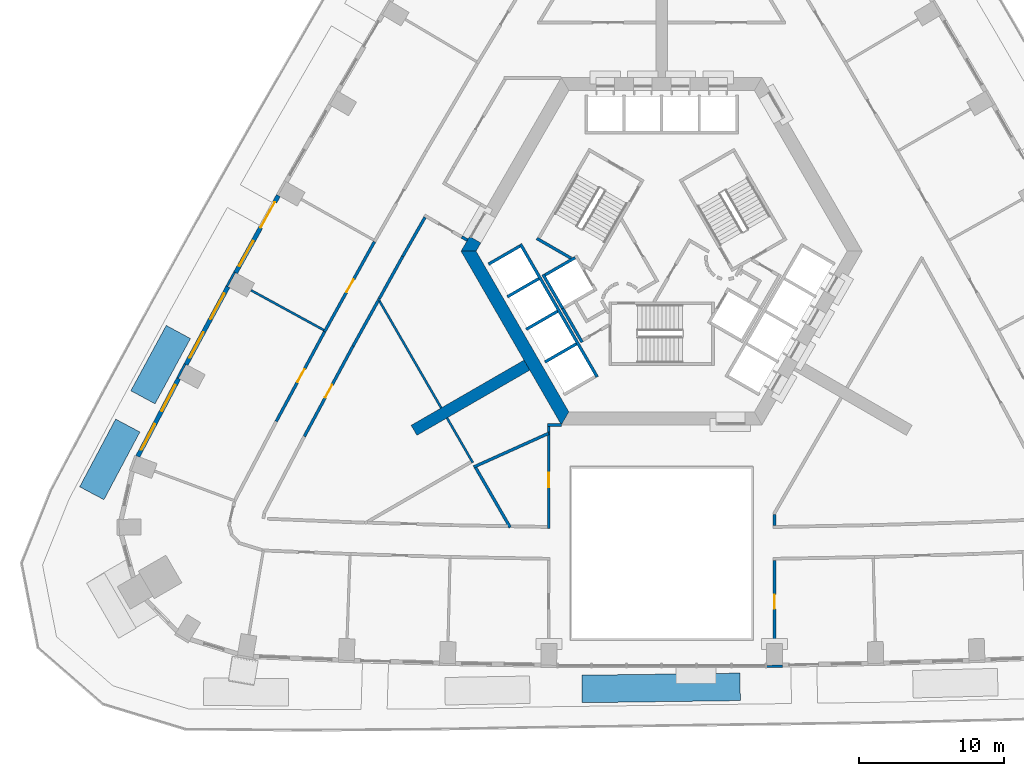
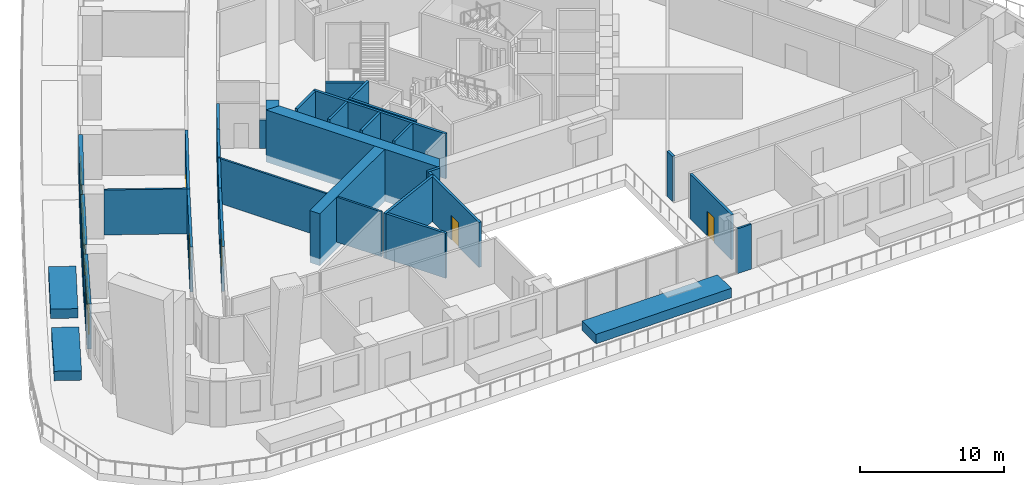
# One storey, part 5 of 16: 38 walls, 6 doors, 5 windows, 11 openings.
"""IFC4 building model written with IfcOpenShell, lengths in metres."""

from ifc_helpers import new_model, si_unit, direction, frame, frame_2d, origin, place, context, subcontext, project, spatial, polyline, rectangle, outline, extrude, material, layer, layer_set, type_object, element, fill, save


model = new_model("IFC4")

# Units and contexts
model_context = context("Model", 3, precision=1e-05, world=origin(), true_north=direction((0.0, 1.0)))
body_context = subcontext(model_context, "Body", "Model", "MODEL_VIEW")
ifc_project = project(units=[si_unit("LENGTHUNIT", "METRE"), si_unit("AREAUNIT", "SQUARE_METRE"), si_unit("VOLUMEUNIT", "CUBIC_METRE"), si_unit("PLANEANGLEUNIT", "RADIAN"), si_unit("MASSUNIT", "GRAM", prefix="KILO")], contexts=[model_context])

# Site, building, storey
site_placement = place(None, origin())
site = spatial("IfcSite", under=ifc_project, at=site_placement, CompositionType="ELEMENT")
building_placement = place(site_placement, origin())
building = spatial("IfcBuilding", under=site, at=building_placement, Name="Entoto Arch Interchange Tower", CompositionType="ELEMENT")
storey_placement = place(building_placement, frame((0.0, 0.0, 86.60009765625)))
storey = spatial("IfcBuildingStorey", under=building, at=storey_placement, Name="L18", CompositionType="ELEMENT", Elevation=86.60009765625)

# Walls
ifc_material_1 = material(Name="Concrete C60/75", Category="concrete")
ifc_layer_1 = layer(ifc_material_1, 0.800048828125)
ifc_layer_set_1 = layer_set([ifc_layer_1], Name="Concrete C60/75")
wall_type_1 = type_object("IfcWallType", Name="Buttress wall 800 C60/75", PredefinedType="SHEAR", material=ifc_layer_set_1)
wall_1_placement = place(storey_placement, frame((-9.31005859375, -5.375, -0.60009765625), z_axis=(0.0, 0.0, 1.0), x_axis=(-0.866017533419, -0.500013631625, 0.0)))
element("IfcWall", 1, at=wall_1_placement, inside=storey, type_object=wall_type_1, Name="Buttress wall SW L18", PredefinedType="SHEAR", context=body_context, shape_type="SweptSolid", body=[
    extrude(rectangle(XDim=8.999755859375, YDim=0.800048828125, at=frame_2d((4.5, 0.0))), origin(), (0.0, 0.0, 1.0), 4.39990234375),
])
ifc_layer_2 = layer(ifc_material_1, 0.89990234375)
ifc_layer_set_2 = layer_set([ifc_layer_2], Name="Concrete C60/75")
wall_type_2 = type_object("IfcWallType", Name="Core wall 900 C60/75", PredefinedType="SHEAR", material=ifc_layer_set_2)
wall_2_placement = place(storey_placement, frame((0.0, 0.0, -0.60009765625)))
element("IfcWall", 2, at=wall_2_placement, inside=storey, type_object=wall_type_2, Name="Core wall NW L18", PredefinedType="SHEAR", context=body_context, shape_type="SweptSolid", body=[
    extrude(outline(polyline([(-12.488037109375, 3.070068359375), (-13.26708984375, 3.52001953125), (-13.85595703125, 2.5), (-12.81689453125, 2.5), (-12.488037109375, 3.070068359375)])), origin(), (0.0, 0.0, 1.0), 4.39990234375),
])
wall_3_placement = place(storey_placement, frame((0.0, 0.0, -0.60009765625)))
element("IfcWall", 3, at=wall_3_placement, inside=storey, type_object=wall_type_2, Name="Core wall SW L18", PredefinedType="SHEAR", context=body_context, shape_type="SweptSolid", body=[
    extrude(outline(polyline([(-13.85595703125, 2.5), (-6.927978515625, -9.5), (-6.408935546875, -8.60009765625), (-12.81689453125, 2.5), (-13.85595703125, 2.5)])), origin(), (0.0, 0.0, 1.0), 4.39990234375),
])
ifc_material_2 = material(Name="Concrete C40/50", Category="concrete")
ifc_layer_3 = layer(ifc_material_2, 0.199951171875)
ifc_layer_set_3 = layer_set([ifc_layer_3], Name="Concrete C40/50")
wall_type_3 = type_object("IfcWallType", Name="LIFT SHAFT WALL 200", PredefinedType="STANDARD", material=ifc_layer_set_3)
wall_4_placement = place(storey_placement, frame((-8.19189453125, 0.887939453125, 0.0), z_axis=(0.0, 0.0, 1.0), x_axis=(0.49994636267, -0.866056369097, 0.0)))
element("IfcWall", 4, at=wall_4_placement, inside=storey, type_object=wall_type_3, Name="Shaft wall SW1 back", PredefinedType="STANDARD", context=body_context, shape_type="SweptSolid", body=[
    extrude(rectangle(XDim=2.800048828125, YDim=0.199951171875, at=frame_2d((1.39990234375, 0.0))), origin(), (0.0, 0.0, 1.0), 3.7998046875),
])
wall_5_placement = place(storey_placement, frame((-5.97705078125, 2.052001953125, 0.0), z_axis=(0.0, 0.0, 1.0), x_axis=(-0.865973769406, -0.500089422704, 0.0)))
element("IfcWall", 5, at=wall_5_placement, inside=storey, type_object=wall_type_3, Name="Shaft wall SW1 cross 1", PredefinedType="STANDARD", context=body_context, shape_type="SweptSolid", body=[
    extrude(rectangle(XDim=2.3994140625, YDim=0.199951171875, at=frame_2d((1.19970703125, 0.0))), origin(), (0.0, 0.0, 1.0), 3.7998046875),
])
wall_6_placement = place(storey_placement, frame((-9.7509765625, 2.989990234375, 0.0), z_axis=(0.0, 0.0, 1.0), x_axis=(0.50000090737, -0.866024879913, 0.0)))
element("IfcWall", 6, at=wall_6_placement, inside=storey, type_object=wall_type_3, Name="Shaft wall SW3 front", PredefinedType="STANDARD", context=body_context, shape_type="SweptSolid", body=[
    extrude(rectangle(XDim=10.60009765625, YDim=0.199951171875, at=frame_2d((5.300048828125, 0.0))), origin(), (0.0, 0.0, 1.0), 3.7998046875),
])
wall_7_placement = place(storey_placement, frame((-9.7880859375, 2.85302734375, 0.0), z_axis=(0.0, 0.0, 1.0), x_axis=(-0.865998541277, -0.500046524342, 0.0)))
element("IfcWall", 7, at=wall_7_placement, inside=storey, type_object=wall_type_3, Name="Shaft wall SW3 cross 1", PredefinedType="STANDARD", context=body_context, shape_type="SweptSolid", body=[
    extrude(rectangle(XDim=2.499755859375, YDim=0.199951171875, at=frame_2d((1.25, 0.0))), origin(), (0.0, 0.0, 1.0), 3.7998046875),
])
for number, where, z_axis, x_axis, name in (
    (8, (-8.488037109375, 0.60205078125, 0.0), (0.0, 0.0, 1.0), (-0.866022959057, -0.500004234368, 0.0), "Shaft wall SW3 cross 2"),
    (9, (-7.18798828125, -1.64990234375, 0.0), (0.0, 0.0, 1.0), (-0.866022959057, -0.500004234368, 0.0), "Shaft wall SW3 cross 3"),
    (10, (-5.887939453125, -3.902099609375, 0.0), (0.0, 0.0, 1.0), (-0.866022959057, -0.500004234368, 0.0), "Shaft wall SW3 cross 4"),
):
    element("IfcWall", number, at=place(storey_placement, frame(where, z_axis=z_axis, x_axis=x_axis)), inside=storey, type_object=wall_type_3, Name=name, PredefinedType="STANDARD", context=body_context, shape_type="SweptSolid", body=[
        extrude(rectangle(XDim=2.5, YDim=0.199951171875, at=frame_2d((1.25, 0.0))), origin(), (0.0, 0.0, 1.0), 3.7998046875),
    ])
ifc_material_3 = material(Name="Gypsum board partition on steel studs", Category="steel")
ifc_layer_4 = layer(ifc_material_3, 0.14990234375)
ifc_layer_set_4 = layer_set([ifc_layer_4], Name="Gypsum board partition on steel studs")
wall_type_4 = type_object("IfcWallType", Name="PARTITION 150", PredefinedType="PARTITIONING", material=ifc_layer_set_4)
wall_8_placement = place(storey_placement, frame((-13.04296875, -12.10791015625, 0.0), z_axis=(0.0, 0.0, 1.0), x_axis=(-0.499947764329, 0.866055559963, 0.0)))
element("IfcWall", 11, at=wall_8_placement, inside=storey, type_object=wall_type_4, Name="wall:L18:p108", PredefinedType="PARTITIONING", context=body_context, shape_type="SweptSolid", body=[
    extrude(rectangle(XDim=3.564453125, YDim=0.14990234375, at=frame_2d((1.7822265625, 0.0))), origin(), (0.0, 0.0, 1.0), 3.7998046875),
])
wall_9_placement = place(storey_placement, frame((-23.3359375, -2.949951171875, 0.0), z_axis=(0.0, 0.0, 1.0), x_axis=(-0.877455496162, 0.479658057637, 0.0)))
element("IfcWall", 12, at=wall_9_placement, inside=storey, type_object=wall_type_4, Name="wall:L18:p127", PredefinedType="PARTITIONING", context=body_context, shape_type="SweptSolid", body=[
    extrude(rectangle(XDim=5.729248046875, YDim=0.14990234375, at=frame_2d((2.86474609375, 0.0))), origin(), (0.0, 0.0, 1.0), 3.7998046875),
])
wall_10_placement = place(storey_placement, frame((-15.22509765625, -8.327880859375, 0.0), z_axis=(0.0, 0.0, 1.0), x_axis=(-0.500038648455, 0.866003088939, 0.0)))
element("IfcWall", 13, at=wall_10_placement, inside=storey, type_object=wall_type_4, Name="wall:L18:p108", PredefinedType="PARTITIONING", context=body_context, shape_type="SweptSolid", body=[
    extrude(rectangle(XDim=8.733154296875, YDim=0.14990234375, at=frame_2d((4.36669921875, 0.0))), origin(), (0.0, 0.0, 1.0), 3.7998046875),
])
ifc_layer_5 = layer(ifc_material_3, 0.199951171875)
ifc_layer_set_5 = layer_set([ifc_layer_5], Name="Gypsum board partition on steel studs")
wall_type_5 = type_object("IfcWallType", Name="PARTITION 200", PredefinedType="PARTITIONING", material=ifc_layer_set_5)
wall_11_placement = place(storey_placement, frame((-17.883056640625, 2.14306640625, 0.0), z_axis=(0.0, 0.0, 1.0), x_axis=(-0.484695523805, -0.874682942101, 0.0)))
element("IfcWall", 14, at=wall_11_placement, inside=storey, type_object=wall_type_5, Name="wall:L18:p019", PredefinedType="PARTITIONING", context=body_context, shape_type="SweptSolid", body=[
    extrude(rectangle(XDim=3.3486328125, YDim=0.199951171875, at=frame_2d((1.67431640625, 0.0))), origin(), (0.0, 0.0, 1.0), 3.7998046875),
])
wall_12_placement = place(storey_placement, frame((-13.4169921875, 3.260009765625, 0.0), z_axis=(0.0, 0.0, 1.0), x_axis=(-0.866032067792, 0.499988457423, 0.0)))
element("IfcWall", 15, at=wall_12_placement, inside=storey, type_object=wall_type_5, Name="wall:L18:p020", PredefinedType="PARTITIONING", context=body_context, shape_type="SweptSolid", body=[
    extrude(rectangle(XDim=0.4501953125, YDim=0.199951171875, at=frame_2d((0.22509765625, 0.0))), origin(), (0.0, 0.0, 1.0), 2.39990234375),
])
wall_13_placement = place(storey_placement, frame((-16.347900390625, 4.8369140625, 0.0), z_axis=(0.0, 0.0, 1.0), x_axis=(-0.495121026513, -0.868824015037, 0.0)))
element("IfcWall", 16, at=wall_13_placement, inside=storey, type_object=wall_type_5, Name="wall:L18:p021", PredefinedType="PARTITIONING", context=body_context, shape_type="SweptSolid", body=[
    extrude(rectangle(XDim=3.1005859375, YDim=0.199951171875, at=frame_2d((1.55029296875, 0.0))), origin(), (0.0, 0.0, 1.0), 3.7998046875),
])
wall_14_placement = place(storey_placement, frame((-19.5791015625, -0.9169921875, 0.0), z_axis=(0.0, 0.0, 1.0), x_axis=(-0.484700239797, -0.874680328772, 0.0)))
element("IfcWall", 17, at=wall_14_placement, inside=storey, type_object=wall_type_5, Name="wall:L18:p023", PredefinedType="PARTITIONING", context=body_context, shape_type="SweptSolid", body=[
    extrude(rectangle(XDim=3.585205078125, YDim=0.199951171875, at=frame_2d((1.79248046875, 0.0))), origin(), (0.0, 0.0, 1.0), 3.7998046875),
])

# Wall, opening, door
wall_15_placement = place(storey_placement, frame((-21.31689453125, -4.052978515625, 0.0), z_axis=(0.0, 0.0, 1.0), x_axis=(-0.474391588657, -0.880313932987, 0.0)))
wall_15 = element("IfcWall", 18, at=wall_15_placement, inside=storey, type_object=wall_type_5, Name="wall:L18:p024", PredefinedType="PARTITIONING", context=body_context, shape_type="SweptSolid", body=[
    extrude(rectangle(XDim=7.0849609375, YDim=0.199951171875, at=frame_2d((3.54248046875, 0.0))), origin(), (0.0, 0.0, 1.0), 3.7998046875),
])
opening_1_placement = place(wall_15_placement, frame((3.0419921875, 0.0, 0.0)))
opening_1 = element("IfcOpeningElement", 19, at=opening_1_placement, cuts=wall_15, Name="Opening L18-D30", PredefinedType="OPENING", context=body_context, shape_type="SweptSolid", body=[
    extrude(rectangle(XDim=1.0, YDim=2.10009765625, at=frame_2d((0.5, 1.050048828125))), frame((0.0, 0.10986328125, 0.0), z_axis=(0.0, -1.0, 0.0), x_axis=(1.0, 0.0, 0.0)), (0.0, 0.0, 1.0), 0.219970703125),
])
ifc_material_4 = material(Name="Timber door leaf in Steel S235 frame", Category="steel")
door_type_1 = type_object("IfcDoorType", Name="DOOR DS-10 1000x2100", OperationType="SINGLE_SWING_LEFT", PredefinedType="DOOR", material=ifc_material_4)
door_1_placement = place(opening_1_placement, origin())
door_1 = element("IfcDoor", 20, at=door_1_placement, inside=storey, type_object=door_type_1, Name="door:L18:30", OperationType="SINGLE_SWING_RIGHT", OverallHeight=2.10009765625, OverallWidth=1.0, PredefinedType="DOOR", context=body_context, shape_type="SweptSolid", body=[
    extrude(rectangle(XDim=1.0, YDim=2.10009765625, at=frame_2d((0.5, 1.050048828125))), frame((0.0, 0.02490234375, 0.0), z_axis=(0.0, -1.0, 0.0), x_axis=(1.0, 0.0, 0.0)), (0.0, 0.0, 1.0), 0.050048828125),
])
fill(opening_1, door_1)

wall_16_placement = place(storey_placement, frame((-23.283935546875, -3.06396484375, 0.0), z_axis=(0.0, 0.0, 1.0), x_axis=(0.48478560119, 0.874633020689, 0.0)))
wall_16 = element("IfcWall", 21, at=wall_16_placement, inside=storey, type_object=wall_type_5, Name="wall:L18:p056", PredefinedType="PARTITIONING", context=body_context, shape_type="SweptSolid", body=[
    extrude(rectangle(XDim=7.1103515625, YDim=0.199951171875, at=frame_2d((3.55517578125, 0.0))), origin(), (0.0, 0.0, 1.0), 3.7998046875),
])
opening_2_placement = place(wall_16_placement, frame((3.1298828125, 0.0, 0.0)))
opening_2 = element("IfcOpeningElement", 22, at=opening_2_placement, cuts=wall_16, Name="Opening L18-D17", PredefinedType="OPENING", context=body_context, shape_type="SweptSolid", body=[
    extrude(rectangle(XDim=1.0, YDim=2.10009765625, at=frame_2d((0.5, 1.050048828125))), frame((0.0, 0.10986328125, 0.0), z_axis=(0.0, -1.0, 0.0), x_axis=(1.0, 0.0, 0.0)), (0.0, 0.0, 1.0), 0.219970703125),
])
door_2_placement = place(opening_2_placement, origin())
door_2 = element("IfcDoor", 23, at=door_2_placement, inside=storey, type_object=door_type_1, Name="door:L18:17", OperationType="SINGLE_SWING_LEFT", OverallHeight=2.10009765625, OverallWidth=1.0, PredefinedType="DOOR", context=body_context, shape_type="SweptSolid", body=[
    extrude(rectangle(XDim=1.0, YDim=2.10009765625, at=frame_2d((0.5, 1.050048828125))), frame((0.0, 0.02490234375, 0.0), z_axis=(0.0, -1.0, 0.0), x_axis=(1.0, 0.0, 0.0)), (0.0, 0.0, 1.0), 0.050048828125),
])
fill(opening_2, door_2)

wall_17_placement = place(storey_placement, frame((-26.62109375, -9.258056640625, 0.0), z_axis=(0.0, 0.0, 1.0), x_axis=(0.474414295505, 0.880301696136, 0.0)))
wall_17 = element("IfcWall", 24, at=wall_17_placement, inside=storey, type_object=wall_type_5, Name="wall:L18:p058", PredefinedType="PARTITIONING", context=body_context, shape_type="SweptSolid", body=[
    extrude(rectangle(XDim=7.036376953125, YDim=0.199951171875, at=frame_2d((3.51806640625, 0.0))), origin(), (0.0, 0.0, 1.0), 3.7998046875),
])
opening_3_placement = place(wall_17_placement, frame((3.093017578125, 0.0, 0.0)))
opening_3 = element("IfcOpeningElement", 25, at=opening_3_placement, cuts=wall_17, Name="Opening L18-D18", PredefinedType="OPENING", context=body_context, shape_type="SweptSolid", body=[
    extrude(rectangle(XDim=1.0, YDim=2.10009765625, at=frame_2d((0.5, 1.050048828125))), frame((0.0, 0.10986328125, 0.0), z_axis=(0.0, -1.0, 0.0), x_axis=(1.0, 0.0, 0.0)), (0.0, 0.0, 1.0), 0.219970703125),
])
door_3_placement = place(opening_3_placement, origin())
door_3 = element("IfcDoor", 26, at=door_3_placement, inside=storey, type_object=door_type_1, Name="door:L18:18", OperationType="SINGLE_SWING_LEFT", OverallHeight=2.10009765625, OverallWidth=1.0, PredefinedType="DOOR", context=body_context, shape_type="SweptSolid", body=[
    extrude(rectangle(XDim=1.0, YDim=2.10009765625, at=frame_2d((0.5, 1.050048828125))), frame((0.0, 0.02490234375, 0.0), z_axis=(0.0, -1.0, 0.0), x_axis=(1.0, 0.0, 0.0)), (0.0, 0.0, 1.0), 0.050048828125),
])
fill(opening_3, door_3)

# Walls
wall_18_placement = place(storey_placement, frame((-5.491943359375, -3.7880859375, 0.0), z_axis=(0.0, 0.0, 1.0), x_axis=(-0.500008949224, 0.866020236886, 0.0)))
element("IfcWall", 27, at=wall_18_placement, inside=storey, type_object=wall_type_5, Name="wall:L18:p075", PredefinedType="PARTITIONING", context=body_context, shape_type="SweptSolid", body=[
    extrude(rectangle(XDim=2.68017578125, YDim=0.199951171875, at=frame_2d((1.340087890625, 0.0))), origin(), (0.0, 0.0, 1.0), 3.7998046875),
])
wall_19_placement = place(storey_placement, frame((7.800048828125, -15.68994140625, 0.0), z_axis=(0.0, 0.0, 1.0), x_axis=(0.0, -1.0, 0.0)))
element("IfcWall", 28, at=wall_19_placement, inside=storey, type_object=wall_type_5, Name="wall:L18:p093", PredefinedType="PARTITIONING", context=body_context, shape_type="SweptSolid", body=[
    extrude(rectangle(XDim=0.759033203125, YDim=0.199951171875, at=frame_2d((0.37939453125, 0.0))), origin(), (0.0, 0.0, 1.0), 3.7998046875),
])
wall_20_placement = place(storey_placement, frame((-7.800048828125, -9.97998046875, 0.0), z_axis=(0.0, 0.0, 1.0), x_axis=(0.0, 1.0, 0.0)))
element("IfcWall", 29, at=wall_20_placement, inside=storey, type_object=wall_type_5, Name="wall:L18:p094", PredefinedType="PARTITIONING", context=body_context, shape_type="SweptSolid", body=[
    extrude(rectangle(XDim=0.380859375, YDim=0.199951171875, at=frame_2d((0.1904296875, 0.0))), origin(), (0.0, 0.0, 1.0), 3.7998046875),
])
wall_21_placement = place(storey_placement, frame((-7.89990234375, -9.4990234375, 0.0), z_axis=(0.0, 0.0, 1.0), x_axis=(1.0, 0.0, 0.0)))
element("IfcWall", 30, at=wall_21_placement, inside=storey, type_object=wall_type_5, Name="wall:L18:p095", PredefinedType="PARTITIONING", context=body_context, shape_type="SweptSolid", body=[
    extrude(rectangle(XDim=0.970947265625, YDim=0.199951171875, at=frame_2d((0.4853515625, 0.0))), origin(), (0.0, 0.0, 1.0), 3.7998046875),
])

# Wall, opening, door
wall_22_placement = place(storey_placement, frame((-7.800048828125, -16.64892578125, 0.0), z_axis=(0.0, 0.0, 1.0), x_axis=(0.0, 1.0, 0.0)))
wall_22 = element("IfcWall", 31, at=wall_22_placement, inside=storey, type_object=wall_type_5, Name="wall:L18:p096", PredefinedType="PARTITIONING", context=body_context, shape_type="SweptSolid", body=[
    extrude(rectangle(XDim=6.6689453125, YDim=0.199951171875, at=frame_2d((3.33447265625, 0.0))), origin(), (0.0, 0.0, 1.0), 3.7998046875),
])
opening_4_placement = place(wall_22_placement, frame((2.8349609375, 0.0, 0.0)))
opening_4 = element("IfcOpeningElement", 32, at=opening_4_placement, cuts=wall_22, Name="Opening L18-D29", PredefinedType="OPENING", context=body_context, shape_type="SweptSolid", body=[
    extrude(rectangle(XDim=1.0, YDim=2.10009765625, at=frame_2d((0.5, 1.050048828125))), frame((0.0, 0.10986328125, 0.0), z_axis=(0.0, -1.0, 0.0), x_axis=(1.0, 0.0, 0.0)), (0.0, 0.0, 1.0), 0.219970703125),
])
door_4_placement = place(opening_4_placement, origin())
door_4 = element("IfcDoor", 33, at=door_4_placement, inside=storey, type_object=door_type_1, Name="door:L18:29", OperationType="SINGLE_SWING_LEFT", OverallHeight=2.10009765625, OverallWidth=1.0, PredefinedType="DOOR", context=body_context, shape_type="SweptSolid", body=[
    extrude(rectangle(XDim=1.0, YDim=2.10009765625, at=frame_2d((0.5, 1.050048828125))), frame((0.0, 0.02490234375, 0.0), z_axis=(0.0, -1.0, 0.0), x_axis=(1.0, 0.0, 0.0)), (0.0, 0.0, 1.0), 0.050048828125),
])
fill(opening_4, door_4)

wall_23_placement = place(storey_placement, frame((7.800048828125, -18.85009765625, 0.0), z_axis=(0.0, 0.0, 1.0), x_axis=(0.0, -1.0, 0.0)))
wall_23 = element("IfcWall", 34, at=wall_23_placement, inside=storey, type_object=wall_type_5, Name="wall:L18:p097", PredefinedType="PARTITIONING", context=body_context, shape_type="SweptSolid", body=[
    extrude(rectangle(XDim=5.73095703125, YDim=0.199951171875, at=frame_2d((2.865478515625, 0.0))), origin(), (0.0, 0.0, 1.0), 3.7998046875),
])
opening_5_placement = place(wall_23_placement, frame((2.365966796875, 0.0, 0.0)))
opening_5 = element("IfcOpeningElement", 35, at=opening_5_placement, cuts=wall_23, Name="Opening L18-D01", PredefinedType="OPENING", context=body_context, shape_type="SweptSolid", body=[
    extrude(rectangle(XDim=1.0, YDim=2.10009765625, at=frame_2d((0.5, 1.050048828125))), frame((0.0, 0.10986328125, 0.0), z_axis=(0.0, -1.0, 0.0), x_axis=(1.0, 0.0, 0.0)), (0.0, 0.0, 1.0), 0.219970703125),
])
door_5_placement = place(opening_5_placement, origin())
door_5 = element("IfcDoor", 36, at=door_5_placement, inside=storey, type_object=door_type_1, Name="door:L18:01", OperationType="SINGLE_SWING_LEFT", OverallHeight=2.10009765625, OverallWidth=1.0, PredefinedType="DOOR", context=body_context, shape_type="SweptSolid", body=[
    extrude(rectangle(XDim=1.0, YDim=2.10009765625, at=frame_2d((0.5, 1.050048828125))), frame((0.0, 0.02490234375, 0.0), z_axis=(0.0, -1.0, 0.0), x_axis=(1.0, 0.0, 0.0)), (0.0, 0.0, 1.0), 0.050048828125),
])
fill(opening_5, door_5)

# Walls
wall_24_placement = place(storey_placement, frame((-7.800048828125, -10.080078125, 0.0), z_axis=(0.0, 0.0, 1.0), x_axis=(-0.911938383636, -0.410327167577, 0.0)))
element("IfcWall", 37, at=wall_24_placement, inside=storey, type_object=wall_type_5, Name="wall:L18:p107", PredefinedType="PARTITIONING", context=body_context, shape_type="SweptSolid", body=[
    extrude(rectangle(XDim=5.683349609375, YDim=0.199951171875, at=frame_2d((2.841796875, 0.0))), origin(), (0.0, 0.0, 1.0), 3.7998046875),
])
wall_25_placement = place(storey_placement, frame((-10.4580078125, -16.5859375, 0.0), z_axis=(0.0, 0.0, 1.0), x_axis=(-0.500121439648, 0.865955279218, 0.0)))
element("IfcWall", 38, at=wall_25_placement, inside=storey, type_object=wall_type_5, Name="wall:L18:p109", PredefinedType="PARTITIONING", context=body_context, shape_type="SweptSolid", body=[
    extrude(rectangle(XDim=4.766845703125, YDim=0.199951171875, at=frame_2d((2.38330078125, 0.0))), origin(), (0.0, 0.0, 1.0), 3.7998046875),
])
ifc_material_5 = material(Name="Board-marked precast concrete C50/60", Category="concrete")
ifc_layer_6 = layer(ifc_material_5, 1.89990234375)
ifc_layer_set_6 = layer_set([ifc_layer_6], Name="Board-marked precast concrete C50/60")
wall_type_6 = type_object("IfcWallType", Name="PLANTER RC 1900 Olea europaea subsp. cuspidata", PredefinedType="STANDARD", material=ifc_layer_set_6)
wall_26_placement = place(storey_placement, frame((-5.49609375, -27.741943359375, 0.0), z_axis=(0.0, 0.0, 1.0), x_axis=(0.999909442252, 0.013457611041, 0.0)))
element("IfcWall", 39, at=wall_26_placement, inside=storey, type_object=wall_type_6, Name="Terrace planter S-04 L18", PredefinedType="STANDARD", context=body_context, shape_type="SweptSolid", body=[
    extrude(rectangle(XDim=10.921142578125, YDim=1.89990234375, at=frame_2d((5.46044921875, 0.0))), origin(), (0.0, 0.0, 1.0), 0.7998046875),
])
wall_27_placement = place(storey_placement, frame((-36.876953125, -9.5439453125, 0.0), z_axis=(0.0, 0.0, 1.0), x_axis=(-0.468973311577, -0.883212337453, 0.0)))
element("IfcWall", 40, at=wall_27_placement, inside=storey, type_object=wall_type_6, Name="Terrace planter NW-09 L18", PredefinedType="STANDARD", context=body_context, shape_type="SweptSolid", body=[
    extrude(rectangle(XDim=5.299072265625, YDim=1.89990234375, at=frame_2d((2.6494140625, 0.0))), origin(), (0.0, 0.0, 1.0), 0.7998046875),
])
ifc_layer_7 = layer(ifc_material_5, 1.89990234375)
ifc_layer_set_7 = layer_set([ifc_layer_7], Name="Board-marked precast concrete C50/60")
wall_type_7 = type_object("IfcWallType", Name="PLANTER RC 1900 Vachellia abyssinica", PredefinedType="STANDARD", material=ifc_layer_set_7)
wall_28_placement = place(storey_placement, frame((-33.383056640625, -3.08203125, 0.0), z_axis=(0.0, 0.0, 1.0), x_axis=(-0.476808502213, -0.879007196909, 0.0)))
element("IfcWall", 41, at=wall_28_placement, inside=storey, type_object=wall_type_7, Name="Terrace planter NW-08 L18", PredefinedType="STANDARD", context=body_context, shape_type="SweptSolid", body=[
    extrude(rectangle(XDim=5.134033203125, YDim=1.89990234375, at=frame_2d((2.56689453125, 0.0))), origin(), (0.0, 0.0, 1.0), 0.7998046875),
])
ifc_layer_8 = layer(ifc_material_2, 0.199951171875)
ifc_layer_set_8 = layer_set([ifc_layer_8], Name="Concrete C40/50")
wall_type_8 = type_object("IfcWallType", Name="STAIR ENCLOSURE WALL 200", PredefinedType="STANDARD", material=ifc_layer_set_8)
wall_29_placement = place(storey_placement, frame((-6.25, 2.010009765625, 0.0), z_axis=(0.0, 0.0, 1.0), x_axis=(-0.86611865017, 0.499838457731, 0.0)))
element("IfcWall", 42, at=wall_29_placement, inside=storey, type_object=wall_type_8, Name="Stair wall ST-NW far", PredefinedType="STANDARD", context=body_context, shape_type="SweptSolid", body=[
    extrude(rectangle(XDim=2.73291015625, YDim=0.199951171875, at=frame_2d((1.366455078125, 0.0))), origin(), (0.0, 0.0, 1.0), 3.7998046875),
])

# Wall, openings, door, window
ifc_material_6 = material(Name="Welded tuff (ignimbrite) cladding, warm buff", Category="masonry")
ifc_layer_9 = layer(ifc_material_6, 0.300048828125)
ifc_layer_set_9 = layer_set([ifc_layer_9], Name="Welded tuff (ignimbrite) cladding, warm buff")
wall_type_9 = type_object("IfcWallType", Name="STONE INFILL WALL 300", PredefinedType="STANDARD", material=ifc_layer_set_9)
wall_30_placement = place(storey_placement, frame((-26.47412109375, 6.341064453125, 0.0), z_axis=(0.0, 0.0, 1.0), x_axis=(-0.484823579315, -0.874611969356, 0.0)))
wall_30 = element("IfcWall", 43, at=wall_30_placement, inside=storey, type_object=wall_type_9, Name="Facade wall NW-06 L18", PredefinedType="STANDARD", context=body_context, shape_type="SweptSolid", body=[
    extrude(rectangle(XDim=6.0986328125, YDim=0.300048828125, at=frame_2d((3.04931640625, 0.0))), origin(), (0.0, 0.0, 1.0), 3.7998046875),
])
opening_6_placement = place(wall_30_placement, frame((0.52490234375, 0.0, 0.0)))
opening_6 = element("IfcOpeningElement", 44, at=opening_6_placement, cuts=wall_30, Name="Opening DT-NW-06-L18", PredefinedType="OPENING", context=body_context, shape_type="SweptSolid", body=[
    extrude(rectangle(XDim=2.0, YDim=2.39990234375, at=frame_2d((1.0, 1.199951171875))), frame((0.0, 0.16015625, 0.0), z_axis=(0.0, -1.0, 0.0), x_axis=(1.0, 0.0, 0.0)), (0.0, 0.0, 1.0), 0.320068359375),
])
opening_7_placement = place(wall_30_placement, frame((3.573974609375, 0.0, 0.89990234375)))
opening_7 = element("IfcOpeningElement", 45, at=opening_7_placement, cuts=wall_30, Name="Opening WO-C", PredefinedType="OPENING", context=body_context, shape_type="SweptSolid", body=[
    extrude(rectangle(XDim=2.0, YDim=2.60009765625, at=frame_2d((1.0, 1.300048828125))), frame((0.0, 0.16015625, 0.0), z_axis=(0.0, -1.0, 0.0), x_axis=(1.0, 0.0, 0.0)), (0.0, 0.0, 1.0), 0.320068359375),
])
ifc_material_7 = material(Name="Aluminium and clear glass, anodised", Category="aluminium")
door_type_2 = type_object("IfcDoorType", Name="TERRACE DOOR DT 2000x2400", OperationType="SLIDING_TO_LEFT", PredefinedType="DOOR", material=ifc_material_7)
door_6_placement = place(opening_6_placement, origin())
door_6 = element("IfcDoor", 46, at=door_6_placement, inside=storey, type_object=door_type_2, Name="Terrace door NW-06 L18", OperationType="SLIDING_TO_LEFT", OverallHeight=2.39990234375, OverallWidth=2.0, PredefinedType="DOOR", context=body_context, shape_type="SweptSolid", body=[
    extrude(rectangle(XDim=2.0, YDim=2.39990234375, at=frame_2d((1.0, 1.199951171875))), frame((0.0, 0.02490234375, 0.0), z_axis=(0.0, -1.0, 0.0), x_axis=(1.0, 0.0, 0.0)), (0.0, 0.0, 1.0), 0.050048828125),
])
fill(opening_6, door_6)
ifc_material_8 = material(Name="Clear glass, low-e double glazed", Category="glass")
window_type = type_object("IfcWindowType", Name="WINDOW WO-C 2000x2600", PartitioningType="DOUBLE_PANEL_VERTICAL", PredefinedType="WINDOW", material=ifc_material_8)
window_1_placement = place(opening_7_placement, origin())
window_1 = element("IfcWindow", 47, at=window_1_placement, inside=storey, type_object=window_type, Name="Window WO-C NW-06 L18", OverallHeight=2.60009765625, OverallWidth=2.0, PartitioningType="SINGLE_PANEL", PredefinedType="WINDOW", context=body_context, shape_type="SweptSolid", body=[
    extrude(rectangle(XDim=2.0, YDim=2.60009765625, at=frame_2d((1.0, 1.300048828125))), frame((0.0, 0.030029296875, 0.0), z_axis=(0.0, -1.0, 0.0), x_axis=(1.0, 0.0, 0.0)), (0.0, 0.0, 1.0), 0.06005859375),
])
fill(opening_7, window_1)

# Wall, openings, windows
wall_31_placement = place(storey_placement, frame((-29.9580078125, 0.0439453125, 0.0), z_axis=(0.0, 0.0, 1.0), x_axis=(-0.474369552216, -0.880325807829, 0.0)))
wall_31 = element("IfcWall", 48, at=wall_31_placement, inside=storey, type_object=wall_type_9, Name="Facade wall NW-07 L18", PredefinedType="STANDARD", context=body_context, shape_type="SweptSolid", body=[
    extrude(rectangle(XDim=6.098876953125, YDim=0.300048828125, at=frame_2d((3.04931640625, 0.0))), origin(), (0.0, 0.0, 1.0), 3.7998046875),
])
opening_8_placement = place(wall_31_placement, frame((0.52490234375, 0.0, 0.89990234375)))
opening_8 = element("IfcOpeningElement", 49, at=opening_8_placement, cuts=wall_31, Name="Opening WO-C", PredefinedType="OPENING", context=body_context, shape_type="SweptSolid", body=[
    extrude(rectangle(XDim=2.0, YDim=2.60009765625, at=frame_2d((1.0, 1.300048828125))), frame((0.0, 0.16015625, 0.0), z_axis=(0.0, -1.0, 0.0), x_axis=(1.0, 0.0, 0.0)), (0.0, 0.0, 1.0), 0.320068359375),
])
opening_9_placement = place(wall_31_placement, frame((3.573974609375, 0.0, 0.89990234375)))
opening_9 = element("IfcOpeningElement", 50, at=opening_9_placement, cuts=wall_31, Name="Opening WO-C", PredefinedType="OPENING", context=body_context, shape_type="SweptSolid", body=[
    extrude(rectangle(XDim=2.0, YDim=2.60009765625, at=frame_2d((1.0, 1.300048828125))), frame((0.0, 0.16015625, 0.0), z_axis=(0.0, -1.0, 0.0), x_axis=(1.0, 0.0, 0.0)), (0.0, 0.0, 1.0), 0.320068359375),
])
window_2_placement = place(opening_8_placement, origin())
window_2 = element("IfcWindow", 51, at=window_2_placement, inside=storey, type_object=window_type, Name="Window WO-C NW-07 L18", OverallHeight=2.60009765625, OverallWidth=2.0, PartitioningType="SINGLE_PANEL", PredefinedType="WINDOW", context=body_context, shape_type="SweptSolid", body=[
    extrude(rectangle(XDim=2.0, YDim=2.60009765625, at=frame_2d((1.0, 1.300048828125))), frame((0.0, 0.030029296875, 0.0), z_axis=(0.0, -1.0, 0.0), x_axis=(1.0, 0.0, 0.0)), (0.0, 0.0, 1.0), 0.06005859375),
])
fill(opening_8, window_2)
window_3_placement = place(opening_9_placement, origin())
window_3 = element("IfcWindow", 52, at=window_3_placement, inside=storey, type_object=window_type, Name="Window WO-C NW-07 L18", OverallHeight=2.60009765625, OverallWidth=2.0, PartitioningType="SINGLE_PANEL", PredefinedType="WINDOW", context=body_context, shape_type="SweptSolid", body=[
    extrude(rectangle(XDim=2.0, YDim=2.60009765625, at=frame_2d((1.0, 1.300048828125))), frame((0.0, 0.030029296875, 0.0), z_axis=(0.0, -1.0, 0.0), x_axis=(1.0, 0.0, 0.0)), (0.0, 0.0, 1.0), 0.06005859375),
])
fill(opening_9, window_3)

wall_32_placement = place(storey_placement, frame((-33.365966796875, -6.294921875, 0.0), z_axis=(0.0, 0.0, 1.0), x_axis=(-0.464187178015, -0.885737130173, 0.0)))
wall_32 = element("IfcWall", 53, at=wall_32_placement, inside=storey, type_object=wall_type_9, Name="Facade wall NW-08 L18", PredefinedType="STANDARD", context=body_context, shape_type="SweptSolid", body=[
    extrude(rectangle(XDim=6.0751953125, YDim=0.300048828125, at=frame_2d((3.03759765625, 0.0))), origin(), (0.0, 0.0, 1.0), 3.7998046875),
])
opening_10_placement = place(wall_32_placement, frame((0.51904296875, 0.0, 0.89990234375)))
opening_10 = element("IfcOpeningElement", 54, at=opening_10_placement, cuts=wall_32, Name="Opening WO-C", PredefinedType="OPENING", context=body_context, shape_type="SweptSolid", body=[
    extrude(rectangle(XDim=2.0, YDim=2.60009765625, at=frame_2d((1.0, 1.300048828125))), frame((0.0, 0.16015625, 0.0), z_axis=(0.0, -1.0, 0.0), x_axis=(1.0, 0.0, 0.0)), (0.0, 0.0, 1.0), 0.320068359375),
])
opening_11_placement = place(wall_32_placement, frame((3.555908203125, 0.0, 0.89990234375)))
opening_11 = element("IfcOpeningElement", 55, at=opening_11_placement, cuts=wall_32, Name="Opening WO-C", PredefinedType="OPENING", context=body_context, shape_type="SweptSolid", body=[
    extrude(rectangle(XDim=2.0, YDim=2.60009765625, at=frame_2d((1.0, 1.300048828125))), frame((0.0, 0.16015625, 0.0), z_axis=(0.0, -1.0, 0.0), x_axis=(1.0, 0.0, 0.0)), (0.0, 0.0, 1.0), 0.320068359375),
])
window_4_placement = place(opening_10_placement, origin())
window_4 = element("IfcWindow", 56, at=window_4_placement, inside=storey, type_object=window_type, Name="Window WO-C NW-08 L18", OverallHeight=2.60009765625, OverallWidth=2.0, PartitioningType="SINGLE_PANEL", PredefinedType="WINDOW", context=body_context, shape_type="SweptSolid", body=[
    extrude(rectangle(XDim=2.0, YDim=2.60009765625, at=frame_2d((1.0, 1.300048828125))), frame((0.0, 0.030029296875, 0.0), z_axis=(0.0, -1.0, 0.0), x_axis=(1.0, 0.0, 0.0)), (0.0, 0.0, 1.0), 0.06005859375),
])
fill(opening_10, window_4)
window_5_placement = place(opening_11_placement, origin())
window_5 = element("IfcWindow", 57, at=window_5_placement, inside=storey, type_object=window_type, Name="Window WO-C NW-08 L18", OverallHeight=2.60009765625, OverallWidth=2.0, PartitioningType="SINGLE_PANEL", PredefinedType="WINDOW", context=body_context, shape_type="SweptSolid", body=[
    extrude(rectangle(XDim=2.0, YDim=2.60009765625, at=frame_2d((1.0, 1.300048828125))), frame((0.0, 0.030029296875, 0.0), z_axis=(0.0, -1.0, 0.0), x_axis=(1.0, 0.0, 0.0)), (0.0, 0.0, 1.0), 0.06005859375),
])
fill(opening_11, window_5)

# Walls
ifc_layer_10 = layer(ifc_material_6, 0.14990234375)
ifc_layer_set_10 = layer_set([ifc_layer_10], Name="Welded tuff (ignimbrite) cladding, warm buff")
wall_type_10 = type_object("IfcWallType", Name="STONE PIER CLADDING 150", PredefinedType="STANDARD", material=ifc_layer_set_10)
wall_33_placement = place(storey_placement, frame((-29.4990234375, 1.0458984375, 0.0), z_axis=(0.0, 0.0, 1.0), x_axis=(-0.479737645119, -0.877411985247, 0.0)))
element("IfcWall", 58, at=wall_33_placement, inside=storey, type_object=wall_type_10, Name="Stone pier NW07 L18", PredefinedType="STANDARD", context=body_context, shape_type="SweptSolid", body=[
    extrude(rectangle(XDim=1.100830078125, YDim=0.14990234375, at=frame_2d((0.55029296875, 0.0))), origin(), (0.0, 0.0, 1.0), 3.7998046875),
])
wall_34_placement = place(storey_placement, frame((-32.919921875, -5.2880859375, 0.0), z_axis=(0.0, 0.0, 1.0), x_axis=(-0.469366248657, -0.883003581319, 0.0)))
element("IfcWall", 59, at=wall_34_placement, inside=storey, type_object=wall_type_10, Name="Stone pier NW08 L18", PredefinedType="STANDARD", context=body_context, shape_type="SweptSolid", body=[
    extrude(rectangle(XDim=1.099609375, YDim=0.14990234375, at=frame_2d((0.5498046875, 0.0))), origin(), (0.0, 0.0, 1.0), 3.7998046875),
])
wall_35_placement = place(storey_placement, frame((7.2490234375, -26.180908203125, 0.0), z_axis=(0.0, 0.0, 1.0), x_axis=(0.99995860686, 0.009098602504, 0.0)))
element("IfcWall", 60, at=wall_35_placement, inside=storey, type_object=wall_type_10, Name="Stone pier S05 L18", PredefinedType="STANDARD", context=body_context, shape_type="SweptSolid", body=[
    extrude(rectangle(XDim=1.10009765625, YDim=0.14990234375, at=frame_2d((0.550048828125, 0.0))), origin(), (0.0, 0.0, 1.0), 3.7998046875),
])

save(model, "model.ifc")
